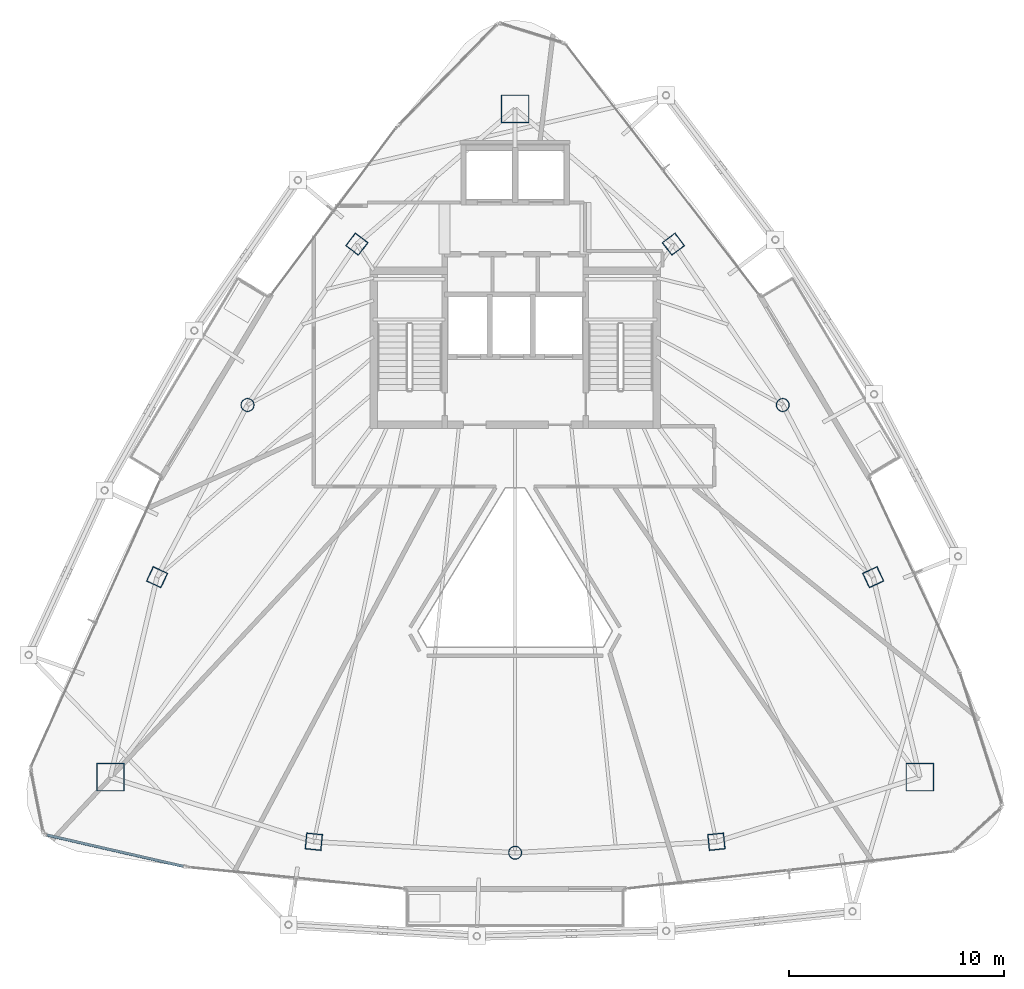
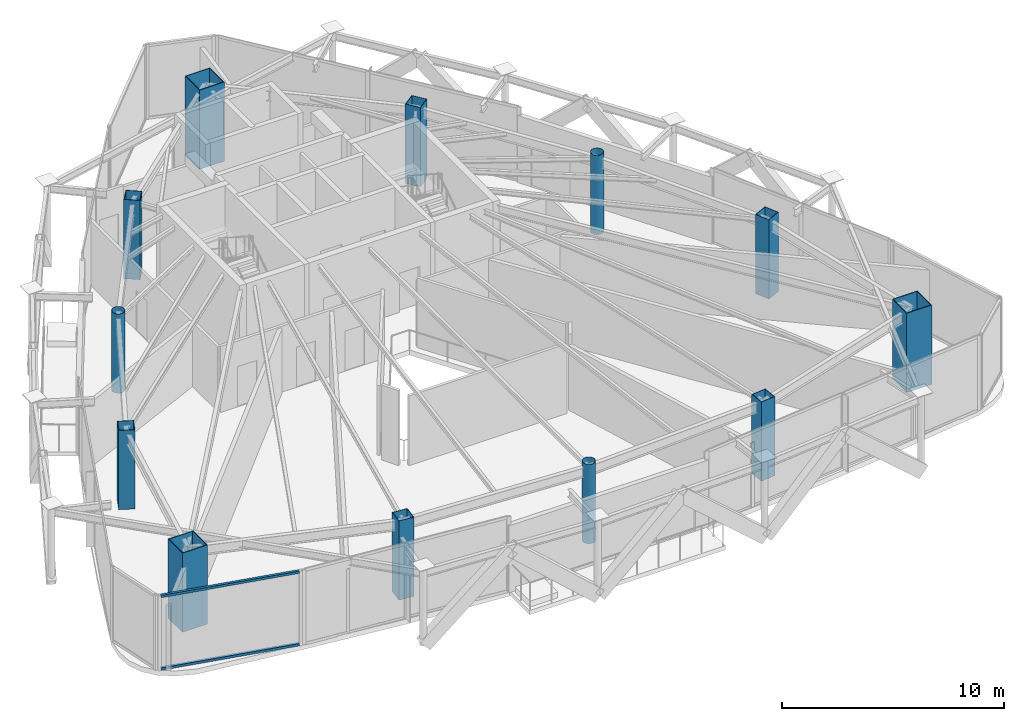
# One storey, part 1 of 25: 12 columns, 2 members, 1 element without a shape of its own.
"""IFC4 building model written with IfcOpenShell, lengths in metres."""

from ifc_helpers import new_model, si_unit, direction, frame, origin, origin_2d, place, context, subcontext, project, spatial, hollow_rectangle, hollow_circle, extrude, material, layer, layer_set, material_profile, profile_set, type_object, element, aggregate, save


model = new_model("IFC4")

# Units and contexts
model_context = context("Model", 3, precision=1e-05, world=origin(), true_north=direction((0.0, 1.0)))
body_context = subcontext(model_context, "Body", "Model", "MODEL_VIEW")
ifc_project = project(units=[si_unit("LENGTHUNIT", "METRE"), si_unit("AREAUNIT", "SQUARE_METRE"), si_unit("VOLUMEUNIT", "CUBIC_METRE"), si_unit("PLANEANGLEUNIT", "RADIAN"), si_unit("MASSUNIT", "GRAM", prefix="KILO")], contexts=[model_context])

# Site, building, storey
site_placement = place(None, origin())
site = spatial("IfcSite", under=ifc_project, at=site_placement, CompositionType="ELEMENT")
building_placement = place(site_placement, origin())
building = spatial("IfcBuilding", under=site, at=building_placement, Name="Orvanel Arch Residences", CompositionType="ELEMENT")
storey_placement = place(building_placement, frame((0.0, 0.0, 236.0)))
storey = spatial("IfcBuildingStorey", under=building, at=storey_placement, Name="L67", CompositionType="ELEMENT", Elevation=236.0)

# Columns
ifc_material_1 = material(Name="Structural steel AS/NZS 1163 C350L0 (Grade 350)", Category="steel")
ifc_material_profile_1 = material_profile(ifc_material_1, hollow_circle(Radius=0.304931640625, WallThickness=0.01611328125, at=origin_2d()), Name="CHS610x16")
ifc_profile_set_1 = profile_set([ifc_material_profile_1], Name="Structural steel AS/NZS 1163 C350L0 (Grade 350)")
column_type_1 = type_object("IfcColumnType", Name="CC-610", PredefinedType="COLUMN", material=ifc_profile_set_1)
for number, where, z_axis, x_axis, name in (
    (1, (20.569091796875, 27.64111328125, 0.0), (0.0, 0.0, 1.0), (1.0, 0.0, 0.0), "L67 High-Rise Tube Column 02"),
    (2, (33.0, 6.843994140625, 0.0), (0.0, 0.0, 1.0), (1.0, 0.0, 0.0), "L67 High-Rise Tube Column 05"),
    (3, (45.430908203125, 27.64111328125, 0.0), (0.0, 0.0, 1.0), (1.0, 0.0, 0.0), "L67 High-Rise Tube Column 08"),
):
    element("IfcColumn", number, at=place(storey_placement, frame(where, z_axis=z_axis, x_axis=x_axis)), inside=storey, type_object=column_type_1, Name=name, PredefinedType="COLUMN", context=body_context, shape_type="SweptSolid", body=[
        extrude(hollow_circle(Radius=0.304931640625, WallThickness=0.01611328125, at=origin_2d()), origin(), (0.0, 0.0, 1.0), 4.35009765625),
    ])
ifc_material_2 = material(Name="Structural steel AS/NZS 3678 Grade 450", Category="steel")
ifc_material_profile_2 = material_profile(ifc_material_2, hollow_rectangle(XDim=1.300048828125, YDim=1.300048828125, WallThickness=0.0400390625, at=origin_2d()), Name="BOX1300x1300x40")
ifc_profile_set_2 = profile_set([ifc_material_profile_2], Name="Structural steel AS/NZS 3678 Grade 450")
column_type_2 = type_object("IfcColumnType", Name="MC-1300", PredefinedType="COLUMN", material=ifc_profile_set_2)
for number, where, z_axis, x_axis, name in (
    (4, (33.0, 41.39794921875, 0.0), (0.0, 0.0, 1.0), (1.0, 0.0, 0.0), "L67 Corner Mega-Column 1"),
    (5, (14.198974609375, 10.35107421875, 0.0), (0.0, 0.0, 1.0), (1.0, 0.0, 0.0), "L67 Corner Mega-Column 2"),
    (6, (51.801025390625, 10.35107421875, 0.0), (0.0, 0.0, 1.0), (1.0, 0.0, 0.0), "L67 Corner Mega-Column 3"),
):
    element("IfcColumn", number, at=place(storey_placement, frame(where, z_axis=z_axis, x_axis=x_axis)), inside=storey, type_object=column_type_2, Name=name, PredefinedType="COLUMN", context=body_context, shape_type="SweptSolid", body=[
        extrude(hollow_rectangle(XDim=1.300048828125, YDim=1.300048828125, WallThickness=0.0400390625, at=origin_2d()), origin(), (0.0, 0.0, 1.0), 4.35009765625),
    ])
ifc_material_3 = material(Name="Structural steel AS/NZS 3678 Grade 350", Category="steel")
ifc_material_profile_3 = material_profile(ifc_material_3, hollow_rectangle(XDim=0.75, YDim=0.75, WallThickness=0.02490234375, at=origin_2d()), Name="BOX750x750x25")
ifc_profile_set_3 = profile_set([ifc_material_profile_3], Name="Structural steel AS/NZS 3678 Grade 350")
column_type_3 = type_object("IfcColumnType", Name="TC-750", PredefinedType="COLUMN", material=ifc_profile_set_3)
for number, where, z_axis, x_axis, name in (
    (7, (25.64794921875, 35.113037109375, 0.0), (0.0, 0.0, 1.0), (0.600420225326, 0.799684658487, 0.0), "L67 High-Rise Tube Column 01"),
    (8, (16.366943359375, 19.64208984375, 0.0), (0.0, 0.0, 1.0), (0.422618261741, 0.906307787037, 0.0), "L67 High-Rise Tube Column 03"),
    (9, (23.64892578125, 7.35498046875, 0.0), (0.0, 0.0, 1.0), (-0.994880708829, 0.101056297183, 0.0), "L67 High-Rise Tube Column 04"),
    (10, (42.35107421875, 7.35498046875, 0.0), (0.0, 0.0, 1.0), (0.994880708829, 0.101056297183, 0.0), "L67 High-Rise Tube Column 06"),
    (11, (49.633056640625, 19.64208984375, 0.0), (0.0, 0.0, 1.0), (-0.422618261741, 0.906307787037, 0.0), "L67 High-Rise Tube Column 07"),
    (12, (40.35205078125, 35.113037109375, 0.0), (0.0, 0.0, 1.0), (-0.600420225326, 0.799684658487, 0.0), "L67 High-Rise Tube Column 09"),
):
    element("IfcColumn", number, at=place(storey_placement, frame(where, z_axis=z_axis, x_axis=x_axis)), inside=storey, type_object=column_type_3, Name=name, PredefinedType="COLUMN", context=body_context, shape_type="SweptSolid", body=[
        extrude(hollow_rectangle(XDim=0.75, YDim=0.75, WallThickness=0.02490234375, at=origin_2d()), origin(), (0.0, 0.0, 1.0), 4.35009765625),
    ])

# Curtain wall, members
ifc_material_4 = material(Name="Bronze-anodised aluminium AA6063-T6", Category="aluminium")
ifc_layer = layer(ifc_material_4, 0.18994140625)
ifc_layer_set = layer_set([ifc_layer], Name="Bronze-anodised aluminium AA6063-T6")
curtain_wall_type = type_object("IfcCurtainWallType", Name="CW5-CRN-SYS", PredefinedType="NOTDEFINED", material=ifc_layer_set)
curtain_wall_placement = place(storey_placement, origin())
curtain_wall = element("IfcCurtainWall", 13, at=curtain_wall_placement, inside=storey, type_object=curtain_wall_type, Name="L67 CW5-CRN-SYS Unitised Curtain Wall", PredefinedType="NOTDEFINED")
ifc_material_profile_4 = material_profile(ifc_material_4, hollow_rectangle(XDim=0.1298828125, YDim=0.1298828125, WallThickness=0.00439453125, at=origin_2d()), Name="ALU130x130x4.5")
ifc_profile_set_4 = profile_set([ifc_material_profile_4], Name="Bronze-anodised aluminium AA6063-T6")
member_type = type_object("IfcMemberType", Name="TRN-130x130", PredefinedType="USERDEFINED", material=ifc_profile_set_4)
member_1_placement = place(storey_placement, frame((11.252197265625, 7.66455078125, 0.06494140625), z_axis=(0.974773549311, -0.223196163862, 0.0), x_axis=(0.223196163862, 0.974773549311, 0.0)))
member_1 = element("IfcMember", 14, at=member_1_placement, type_object=member_type, Name="CW-S5 transom 1.1", ObjectType="TRANSOM", PredefinedType="USERDEFINED", context=body_context, shape_type="SweptSolid", body=[
    extrude(hollow_rectangle(XDim=0.1298828125, YDim=0.1298828125, WallThickness=0.00439453125, at=origin_2d()), origin(), (0.0, 0.0, 1.0), 6.497314453125),
])
member_2_placement = place(storey_placement, frame((11.252197265625, 7.66455078125, 4.044921875), z_axis=(0.974773549311, -0.223196163862, 0.0), x_axis=(0.223196163862, 0.974773549311, 0.0)))
member_2 = element("IfcMember", 15, at=member_2_placement, type_object=member_type, Name="CW-S5 transom 1.2", ObjectType="TRANSOM", PredefinedType="USERDEFINED", context=body_context, shape_type="SweptSolid", body=[
    extrude(hollow_rectangle(XDim=0.1298828125, YDim=0.1298828125, WallThickness=0.00439453125, at=origin_2d()), origin(), (0.0, 0.0, 1.0), 6.497314453125),
])
aggregate(curtain_wall, [member_1, member_2])

save(model, "model.ifc")
